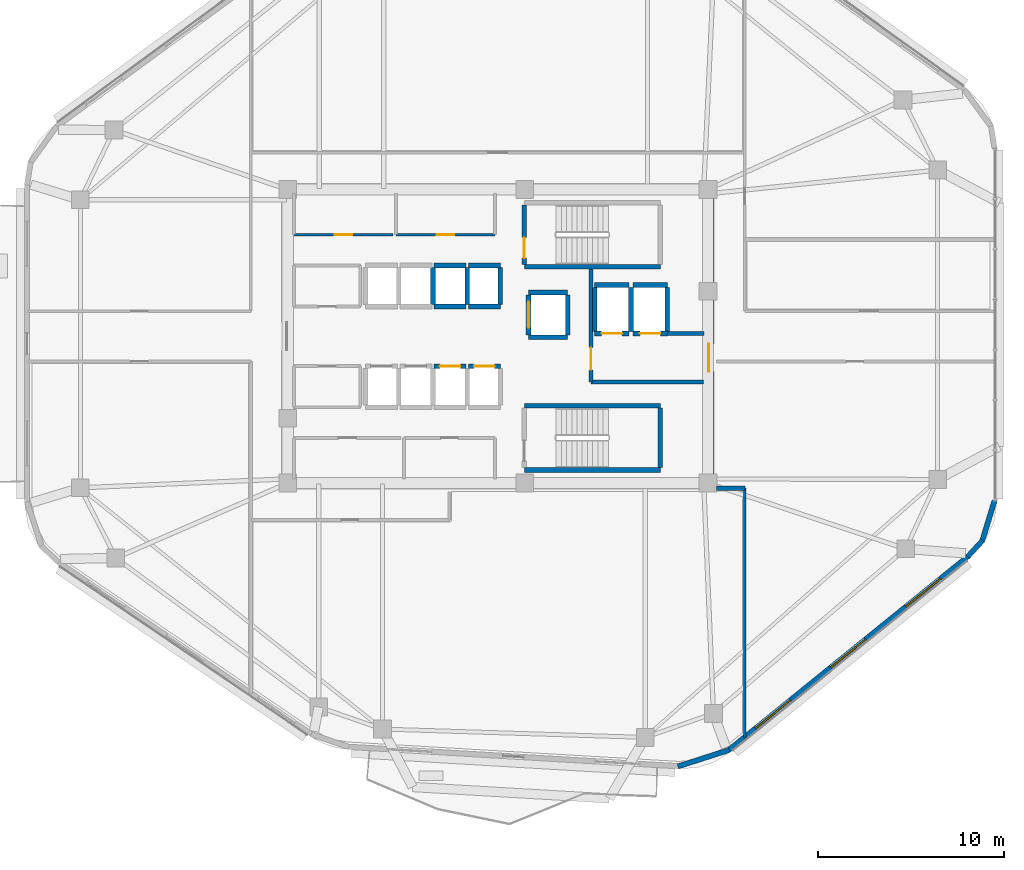
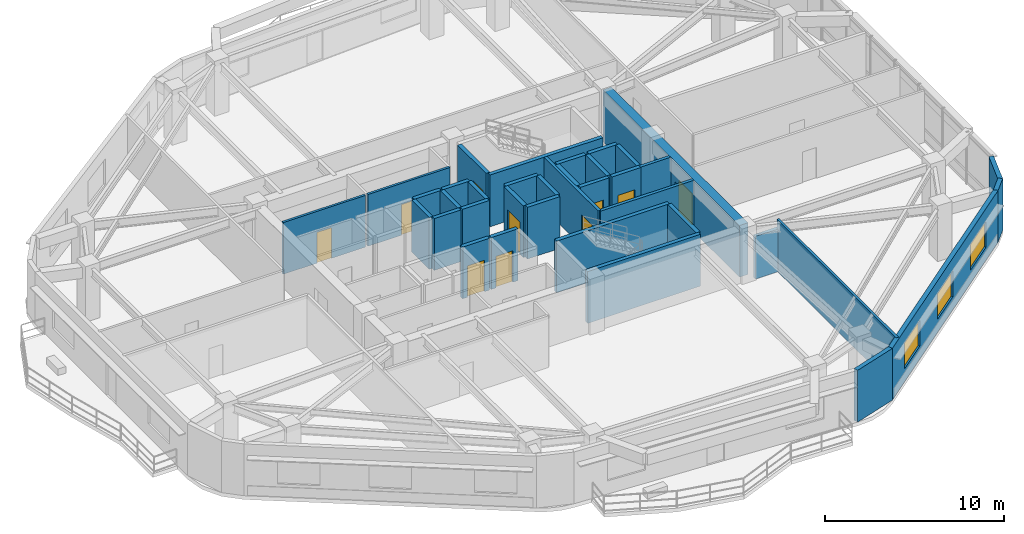
# One storey, part 10 of 14: 37 walls, 10 doors, 3 windows, 13 openings.
"""IFC4 building model written with IfcOpenShell, lengths in metres."""

from ifc_helpers import new_model, si_unit, direction, frame, frame_2d, origin, place, context, subcontext, project, spatial, rectangle, extrude, material, layer, layer_set, type_object, element, fill, save


model = new_model("IFC4")

# Units and contexts
model_context = context("Model", 3, precision=1e-05, world=origin(), true_north=direction((0.0, 1.0)))
body_context = subcontext(model_context, "Body", "Model", "MODEL_VIEW")
ifc_project = project(units=[si_unit("LENGTHUNIT", "METRE"), si_unit("AREAUNIT", "SQUARE_METRE"), si_unit("VOLUMEUNIT", "CUBIC_METRE"), si_unit("PLANEANGLEUNIT", "RADIAN"), si_unit("MASSUNIT", "GRAM", prefix="KILO")], contexts=[model_context])

# Site, building, storey
site_placement = place(None, origin())
site = spatial("IfcSite", under=ifc_project, at=site_placement, CompositionType="ELEMENT")
building_placement = place(site_placement, origin())
building = spatial("IfcBuilding", under=site, at=building_placement, Name="Zulverin Broadcast Headquarters", CompositionType="ELEMENT")
storey_placement = place(building_placement, frame((0.0, 0.0, 201.0)))
storey = spatial("IfcBuildingStorey", under=building, at=storey_placement, Name="L51", CompositionType="ELEMENT", Elevation=201.0)

# Wall
ifc_material_1 = material(Name="Double-stud acoustic drywall", Category="gypsum")
ifc_layer_1 = layer(ifc_material_1, 0.219970703125, Name="Double-stud acoustic drywall", Category="gypsum")
ifc_layer_set_1 = layer_set([ifc_layer_1], Name="Double-stud acoustic drywall")
wall_type_1 = type_object("IfcWallType", Name="WL-ACOU-220", PredefinedType="PARTITIONING", material=ifc_layer_set_1)
wall_1_placement = place(storey_placement, frame((48.739990234375, 17.050048828125, 0.0), z_axis=(0.0, 0.0, 1.0), x_axis=(1.0, 0.0, 0.0)))
element("IfcWall", 1, at=wall_1_placement, inside=storey, type_object=wall_type_1, Name="L51 Room Partition Wall RP-07", PredefinedType="PARTITIONING", context=body_context, shape_type="SweptSolid", body=[
    extrude(rectangle(XDim=1.510009765625, YDim=0.219970703125, at=frame_2d((0.7548828125, 0.0))), origin(), (0.0, 0.0, 1.0), 2.9228515625),
])

# Wall, opening, door
ifc_material_2 = material(Name="Concrete C60/75", Category="concrete")
ifc_layer_2 = layer(ifc_material_2, 0.550048828125, Name="Concrete C60/75", Category="concrete")
ifc_layer_set_2 = layer_set([ifc_layer_2], Name="Concrete C60/75")
wall_type_2 = type_object("IfcWallType", Name="WL-CORE-550", PredefinedType="SHEAR", material=ifc_layer_set_2)
wall_2_placement = place(storey_placement, frame((48.324951171875, 17.550048828125, 0.0), z_axis=(0.0, 0.0, 1.0), x_axis=(0.0, 1.0, 0.0)))
wall_2 = element("IfcWall", 2, at=wall_2_placement, inside=storey, type_object=wall_type_2, Name="L51 Core East Shear Wall", PredefinedType="SHEAR", context=body_context, shape_type="SweptSolid", body=[
    extrude(rectangle(XDim=15.300048828125, YDim=0.550048828125, at=frame_2d((7.64990234375, 0.0))), origin(), (0.0, 0.0, 1.0), 3.5400390625),
])
opening_1_placement = place(wall_2_placement, frame((5.75, 0.0, 0.0)))
opening_1 = element("IfcOpeningElement", 3, at=opening_1_placement, cuts=wall_2, Name="Opening D-L51-CE1", PredefinedType="OPENING", context=body_context, shape_type="SweptSolid", body=[
    extrude(rectangle(XDim=1.5, YDim=2.14990234375, at=frame_2d((0.75, 1.074951171875))), frame((0.0, 0.284912109375, 0.0), z_axis=(0.0, -1.0, 0.0), x_axis=(1.0, 0.0, 0.0)), (0.0, 0.0, 1.0), 0.570068359375),
])
ifc_material_3 = material(Name="Fire-rated glazed steel frame", Category="steel")
door_type_1 = type_object("IfcDoorType", Name="DR-COR-1500", OperationType="DOUBLE_DOOR_SINGLE_SWING", PredefinedType="DOOR", material=ifc_material_3)
door_1_placement = place(opening_1_placement, origin())
door_1 = element("IfcDoor", 4, at=door_1_placement, inside=storey, type_object=door_type_1, Name="L51 Firefighting Lobby East Corridor Door", OperationType="DOUBLE_DOOR_SINGLE_SWING", OverallHeight=2.14990234375, OverallWidth=1.5, PredefinedType="DOOR", context=body_context, shape_type="SweptSolid", body=[
    extrude(rectangle(XDim=1.5, YDim=2.14990234375, at=frame_2d((0.75, 1.074951171875))), frame((0.0, 0.02490234375, 0.0), z_axis=(0.0, -1.0, 0.0), x_axis=(1.0, 0.0, 0.0)), (0.0, 0.0, 1.0), 0.050048828125),
])
fill(opening_1, door_1)

# Wall, openings, windows
ifc_material_4 = material(Name="Insulated pale-metal clad concrete spandrel C40/50", Category="concrete")
ifc_layer_3 = layer(ifc_material_4, 0.280029296875, Name="Insulated pale-metal clad concrete spandrel C40/50", Category="concrete")
ifc_layer_set_3 = layer_set([ifc_layer_3], Name="Insulated pale-metal clad concrete spandrel C40/50")
wall_type_3 = type_object("IfcWallType", Name="WL-EXT-280", PredefinedType="STANDARD", material=ifc_layer_set_3)
wall_3_placement = place(storey_placement, frame((49.372314453125, 2.98388671875, 0.0), z_axis=(0.0, 0.0, 1.0), x_axis=(0.777278899851, 0.629156190343, 0.0)))
wall_3 = element("IfcWall", 5, at=wall_3_placement, inside=storey, type_object=wall_type_3, Name="L51 Pale-Metal Clad Spandrel Wall 2", PredefinedType="STANDARD", context=body_context, shape_type="SweptSolid", body=[
    extrude(rectangle(XDim=16.5400390625, YDim=0.280029296875, at=frame_2d((8.27001953125, 0.0))), origin(), (0.0, 0.0, 1.0), 3.5400390625),
])
opening_2_placement = place(wall_3_placement, frame((1.889892578125, 0.0, 0.89990234375)))
opening_2 = element("IfcOpeningElement", 6, at=opening_2_placement, cuts=wall_3, Name="Opening W-L51-E21", PredefinedType="OPENING", context=body_context, shape_type="SweptSolid", body=[
    extrude(rectangle(XDim=2.39990234375, YDim=1.75, at=frame_2d((1.199951171875, 0.875))), frame((0.0, 0.14990234375, 0.0), z_axis=(0.0, -1.0, 0.0), x_axis=(1.0, 0.0, 0.0)), (0.0, 0.0, 1.0), 0.300048828125),
])
opening_3_placement = place(wall_3_placement, frame((7.070068359375, 0.0, 0.89990234375)))
opening_3 = element("IfcOpeningElement", 7, at=opening_3_placement, cuts=wall_3, Name="Opening W-L51-E22", PredefinedType="OPENING", context=body_context, shape_type="SweptSolid", body=[
    extrude(rectangle(XDim=2.39990234375, YDim=1.75, at=frame_2d((1.199951171875, 0.875))), frame((0.0, 0.14990234375, 0.0), z_axis=(0.0, -1.0, 0.0), x_axis=(1.0, 0.0, 0.0)), (0.0, 0.0, 1.0), 0.300048828125),
])
opening_4_placement = place(wall_3_placement, frame((12.25, 0.0, 0.89990234375)))
opening_4 = element("IfcOpeningElement", 8, at=opening_4_placement, cuts=wall_3, Name="Opening W-L51-E23", PredefinedType="OPENING", context=body_context, shape_type="SweptSolid", body=[
    extrude(rectangle(XDim=2.39990234375, YDim=1.75, at=frame_2d((1.199951171875, 0.875))), frame((0.0, 0.14990234375, 0.0), z_axis=(0.0, -1.0, 0.0), x_axis=(1.0, 0.0, 0.0)), (0.0, 0.0, 1.0), 0.300048828125),
])
ifc_material_5 = material(Name="Pale anodized aluminium frame with solar-control low-E double glazing", Category="aluminium")
window_type = type_object("IfcWindowType", Name="WIN-RIB-2400", PartitioningType="SINGLE_PANEL", PredefinedType="WINDOW", material=ifc_material_5)
window_1_placement = place(opening_2_placement, origin())
window_1 = element("IfcWindow", 9, at=window_1_placement, inside=storey, type_object=window_type, Name="L51 Ribbon Glazing Window 2 1", OverallHeight=1.75, OverallWidth=2.39990234375, PartitioningType="SINGLE_PANEL", PredefinedType="WINDOW", context=body_context, shape_type="SweptSolid", body=[
    extrude(rectangle(XDim=2.39990234375, YDim=1.75, at=frame_2d((1.199951171875, 0.875))), frame((0.0, 0.030029296875, 0.0), z_axis=(0.0, -1.0, 0.0), x_axis=(1.0, 0.0, 0.0)), (0.0, 0.0, 1.0), 0.06005859375),
])
fill(opening_2, window_1)
window_2_placement = place(opening_3_placement, origin())
window_2 = element("IfcWindow", 10, at=window_2_placement, inside=storey, type_object=window_type, Name="L51 Ribbon Glazing Window 2 2", OverallHeight=1.75, OverallWidth=2.39990234375, PartitioningType="SINGLE_PANEL", PredefinedType="WINDOW", context=body_context, shape_type="SweptSolid", body=[
    extrude(rectangle(XDim=2.39990234375, YDim=1.75, at=frame_2d((1.199951171875, 0.875))), frame((0.0, 0.030029296875, 0.0), z_axis=(0.0, -1.0, 0.0), x_axis=(1.0, 0.0, 0.0)), (0.0, 0.0, 1.0), 0.06005859375),
])
fill(opening_3, window_2)
window_3_placement = place(opening_4_placement, origin())
window_3 = element("IfcWindow", 11, at=window_3_placement, inside=storey, type_object=window_type, Name="L51 Ribbon Glazing Window 2 3", OverallHeight=1.75, OverallWidth=2.39990234375, PartitioningType="SINGLE_PANEL", PredefinedType="WINDOW", context=body_context, shape_type="SweptSolid", body=[
    extrude(rectangle(XDim=2.39990234375, YDim=1.75, at=frame_2d((1.199951171875, 0.875))), frame((0.0, 0.030029296875, 0.0), z_axis=(0.0, -1.0, 0.0), x_axis=(1.0, 0.0, 0.0)), (0.0, 0.0, 1.0), 0.06005859375),
])
fill(opening_4, window_3)

# Walls
wall_4_placement = place(storey_placement, frame((46.666259765625, 2.124267578125, 0.0), z_axis=(0.0, 0.0, 1.0), x_axis=(0.952065470694, 0.305894327363, 0.0)))
element("IfcWall", 12, at=wall_4_placement, inside=storey, type_object=wall_type_3, Name="L51 Wind-Shaped Corner Spandrel Wall 1-1", PredefinedType="STANDARD", context=body_context, shape_type="SweptSolid", body=[
    extrude(rectangle(XDim=2.889892578125, YDim=0.280029296875, at=frame_2d((1.44482421875, 0.0))), origin(), (0.0, 0.0, 1.0), 3.5400390625),
])
wall_5_placement = place(storey_placement, frame((62.21337890625, 13.3759765625, 0.0), z_axis=(0.0, 0.0, 1.0), x_axis=(0.675790054291, 0.737094161232, 0.0)))
element("IfcWall", 13, at=wall_5_placement, inside=storey, type_object=wall_type_3, Name="L51 Wind-Shaped Corner Spandrel Wall 2-1", PredefinedType="STANDARD", context=body_context, shape_type="SweptSolid", body=[
    extrude(rectangle(XDim=1.182861328125, YDim=0.280029296875, at=frame_2d((0.59130859375, 0.0))), origin(), (0.0, 0.0, 1.0), 3.5400390625),
])
wall_6_placement = place(storey_placement, frame((62.98193359375, 14.194091796875, 0.0), z_axis=(0.0, 0.0, 1.0), x_axis=(0.292493949144, 0.956267373549, 0.0)))
element("IfcWall", 14, at=wall_6_placement, inside=storey, type_object=wall_type_3, Name="L51 Wind-Shaped Corner Spandrel Wall 2-2", PredefinedType="STANDARD", context=body_context, shape_type="SweptSolid", body=[
    extrude(rectangle(XDim=2.2744140625, YDim=0.280029296875, at=frame_2d((1.13720703125, 0.0))), origin(), (0.0, 0.0, 1.0), 3.5400390625),
])

# Wall, opening, door
ifc_material_6 = material(Name="Concrete C40/50", Category="concrete")
ifc_layer_4 = layer(ifc_material_6, 0.199951171875, Name="Concrete C40/50", Category="concrete")
ifc_layer_set_4 = layer_set([ifc_layer_4], Name="Concrete C40/50")
wall_type_4 = type_object("IfcWallType", Name="WL-FFL-200", PredefinedType="SOLIDWALL", material=ifc_layer_set_4)
wall_7_placement = place(storey_placement, frame((42.0, 22.75, 0.0), z_axis=(0.0, 0.0, 1.0), x_axis=(0.0, 1.0, 0.0)))
wall_7 = element("IfcWall", 15, at=wall_7_placement, inside=storey, type_object=wall_type_4, Name="L51 Firefighting Lift Lobby West Wall", PredefinedType="SOLIDWALL", context=body_context, shape_type="SweptSolid", body=[
    extrude(rectangle(XDim=6.050048828125, YDim=0.199951171875, at=frame_2d((3.02490234375, 0.0))), origin(), (0.0, 0.0, 1.0), 3.5400390625),
])
opening_5_placement = place(wall_7_placement, frame((0.64990234375, 0.0, 0.0)))
opening_5 = element("IfcOpeningElement", 16, at=opening_5_placement, cuts=wall_7, Name="Opening D-L51-FFLW", PredefinedType="OPENING", context=body_context, shape_type="SweptSolid", body=[
    extrude(rectangle(XDim=1.199951171875, YDim=2.14990234375, at=frame_2d((0.60009765625, 1.074951171875))), frame((0.0, 0.10986328125, 0.0), z_axis=(0.0, -1.0, 0.0), x_axis=(1.0, 0.0, 0.0)), (0.0, 0.0, 1.0), 0.219970703125),
])
ifc_material_7 = material(Name="Fire-rated steel leaf and frame", Category="steel")
door_type_2 = type_object("IfcDoorType", Name="DR-FFL-1200", OperationType="SINGLE_SWING_RIGHT", PredefinedType="DOOR", material=ifc_material_7)
door_2_placement = place(opening_5_placement, origin())
door_2 = element("IfcDoor", 17, at=door_2_placement, inside=storey, type_object=door_type_2, Name="L51 Firefighting Lift Lobby Door", OperationType="SINGLE_SWING_RIGHT", OverallHeight=2.14990234375, OverallWidth=1.199951171875, PredefinedType="DOOR", context=body_context, shape_type="SweptSolid", body=[
    extrude(rectangle(XDim=1.199951171875, YDim=2.14990234375, at=frame_2d((0.60009765625, 1.074951171875))), frame((0.0, 0.02490234375, 0.0), z_axis=(0.0, -1.0, 0.0), x_axis=(1.0, 0.0, 0.0)), (0.0, 0.0, 1.0), 0.050048828125),
])
fill(opening_5, door_2)

# Walls
wall_8_placement = place(storey_placement, frame((42.0, 22.75, 0.0), z_axis=(0.0, 0.0, 1.0), x_axis=(1.0, 0.0, 0.0)))
element("IfcWall", 18, at=wall_8_placement, inside=storey, type_object=wall_type_4, Name="L51 Firefighting Lift Lobby South Wall", PredefinedType="SOLIDWALL", context=body_context, shape_type="SweptSolid", body=[
    extrude(rectangle(XDim=6.050048828125, YDim=0.199951171875, at=frame_2d((3.02490234375, 0.0))), origin(), (0.0, 0.0, 1.0), 3.5400390625),
])
wall_9_placement = place(storey_placement, frame((46.10009765625, 25.35009765625, 0.0), z_axis=(0.0, 0.0, 1.0), x_axis=(1.0, 0.0, 0.0)))
element("IfcWall", 19, at=wall_9_placement, inside=storey, type_object=wall_type_4, Name="L51 Firefighting Lift Lobby North Wall", PredefinedType="SOLIDWALL", context=body_context, shape_type="SweptSolid", body=[
    extrude(rectangle(XDim=1.949951171875, YDim=0.199951171875, at=frame_2d((0.97509765625, 0.0))), origin(), (0.0, 0.0, 1.0), 3.5400390625),
])

# Wall, opening, door
ifc_material_8 = material(Name="Fire-rated gypsum stud partition", Category="gypsum")
ifc_layer_5 = layer(ifc_material_8, 0.14990234375, Name="Fire-rated gypsum stud partition", Category="gypsum")
ifc_layer_set_5 = layer_set([ifc_layer_5], Name="Fire-rated gypsum stud partition")
wall_type_5 = type_object("IfcWallType", Name="WL-PART-150", PredefinedType="PARTITIONING", material=ifc_layer_set_5)
wall_10_placement = place(storey_placement, frame((26.070068359375, 30.64990234375, 0.0), z_axis=(0.0, 0.0, 1.0), x_axis=(1.0, 0.0, 0.0)))
wall_10 = element("IfcWall", 20, at=wall_10_placement, inside=storey, type_object=wall_type_5, Name="L51 Core Male WC Front Wall", PredefinedType="PARTITIONING", context=body_context, shape_type="SweptSolid", body=[
    extrude(rectangle(XDim=5.309814453125, YDim=0.14990234375, at=frame_2d((2.65478515625, 0.0))), origin(), (0.0, 0.0, 1.0), 3.5400390625),
])
opening_6_placement = place(wall_10_placement, frame((2.179931640625, 0.0, 0.0)))
opening_6 = element("IfcOpeningElement", 21, at=opening_6_placement, cuts=wall_10, Name="Opening D-L51-NC1", PredefinedType="OPENING", context=body_context, shape_type="SweptSolid", body=[
    extrude(rectangle(XDim=0.949951171875, YDim=2.10009765625, at=frame_2d((0.47509765625, 1.050048828125))), frame((0.0, 0.0849609375, 0.0), z_axis=(0.0, -1.0, 0.0), x_axis=(1.0, 0.0, 0.0)), (0.0, 0.0, 1.0), 0.169921875),
])
ifc_material_9 = material(Name="Fire-rated moisture-resistant laminate leaf", Category="wood")
door_type_3 = type_object("IfcDoorType", Name="DR-WC-950", OperationType="SINGLE_SWING_LEFT", PredefinedType="DOOR", material=ifc_material_9)
door_3_placement = place(opening_6_placement, origin())
door_3 = element("IfcDoor", 22, at=door_3_placement, inside=storey, type_object=door_type_3, Name="L51 Male WC Door", OperationType="SINGLE_SWING_LEFT", OverallHeight=2.10009765625, OverallWidth=0.949951171875, PredefinedType="DOOR", context=body_context, shape_type="SweptSolid", body=[
    extrude(rectangle(XDim=0.949951171875, YDim=2.10009765625, at=frame_2d((0.47509765625, 1.050048828125))), frame((0.0, 0.02490234375, 0.0), z_axis=(0.0, -1.0, 0.0), x_axis=(1.0, 0.0, 0.0)), (0.0, 0.0, 1.0), 0.050048828125),
])
fill(opening_6, door_3)

wall_11_placement = place(storey_placement, frame((31.5400390625, 30.64990234375, 0.0), z_axis=(0.0, 0.0, 1.0), x_axis=(1.0, 0.0, 0.0)))
wall_11 = element("IfcWall", 23, at=wall_11_placement, inside=storey, type_object=wall_type_5, Name="L51 Core Accessible WC Front Wall", PredefinedType="PARTITIONING", context=body_context, shape_type="SweptSolid", body=[
    extrude(rectangle(XDim=5.31005859375, YDim=0.14990234375, at=frame_2d((2.655029296875, 0.0))), origin(), (0.0, 0.0, 1.0), 3.5400390625),
])
opening_7_placement = place(wall_11_placement, frame((2.179931640625, 0.0, 0.0)))
opening_7 = element("IfcOpeningElement", 24, at=opening_7_placement, cuts=wall_11, Name="Opening D-L51-NC2", PredefinedType="OPENING", context=body_context, shape_type="SweptSolid", body=[
    extrude(rectangle(XDim=0.949951171875, YDim=2.10009765625, at=frame_2d((0.47509765625, 1.050048828125))), frame((0.0, 0.0849609375, 0.0), z_axis=(0.0, -1.0, 0.0), x_axis=(1.0, 0.0, 0.0)), (0.0, 0.0, 1.0), 0.169921875),
])
door_4_placement = place(opening_7_placement, origin())
door_4 = element("IfcDoor", 25, at=door_4_placement, inside=storey, type_object=door_type_3, Name="L51 Accessible WC Door", OperationType="SINGLE_SWING_RIGHT", OverallHeight=2.10009765625, OverallWidth=0.949951171875, PredefinedType="DOOR", context=body_context, shape_type="SweptSolid", body=[
    extrude(rectangle(XDim=0.949951171875, YDim=2.10009765625, at=frame_2d((0.47509765625, 1.050048828125))), frame((0.0, 0.02490234375, 0.0), z_axis=(0.0, -1.0, 0.0), x_axis=(1.0, 0.0, 0.0)), (0.0, 0.0, 1.0), 0.050048828125),
])
fill(opening_7, door_4)

# Walls
wall_12_placement = place(storey_placement, frame((50.25, 3.654052734375, 0.0), z_axis=(0.0, 0.0, 1.0), x_axis=(0.0, 1.0, 0.0)))
element("IfcWall", 26, at=wall_12_placement, inside=storey, type_object=wall_type_5, Name="L51 Room Partition Wall RP-01", PredefinedType="PARTITIONING", context=body_context, shape_type="SweptSolid", body=[
    extrude(rectangle(XDim=13.39599609375, YDim=0.14990234375, at=frame_2d((6.697998046875, 0.0))), origin(), (0.0, 0.0, 1.0), 3.5400390625),
])
ifc_material_10 = material(Name="Concrete C50/60", Category="concrete")
ifc_layer_6 = layer(ifc_material_10, 0.25, Name="Concrete C50/60", Category="concrete")
ifc_layer_set_6 = layer_set([ifc_layer_6], Name="Concrete C50/60")
wall_type_6 = type_object("IfcWallType", Name="WL-SHAFT-250", PredefinedType="SHEAR", material=ifc_layer_set_6)
wall_13_placement = place(storey_placement, frame((38.425048828125, 28.925048828125, 0.0), z_axis=(0.0, 0.0, 1.0), x_axis=(1.0, 0.0, 0.0)))
element("IfcWall", 27, at=wall_13_placement, inside=storey, type_object=wall_type_6, Name="L51 ST-1 Enclosure Wall S", PredefinedType="SHEAR", context=body_context, shape_type="SweptSolid", body=[
    extrude(rectangle(XDim=7.300048828125, YDim=0.25, at=frame_2d((3.64990234375, 0.0))), origin(), (0.0, 0.0, 1.0), 3.5400390625),
])

# Wall, opening, door
wall_14_placement = place(storey_placement, frame((38.425048828125, 29.050048828125, 0.0), z_axis=(0.0, 0.0, 1.0), x_axis=(0.0, 1.0, 0.0)))
wall_14 = element("IfcWall", 28, at=wall_14_placement, inside=storey, type_object=wall_type_6, Name="L51 ST-1 Enclosure Wall W", PredefinedType="SHEAR", context=body_context, shape_type="SweptSolid", body=[
    extrude(rectangle(XDim=3.199951171875, YDim=0.25, at=frame_2d((1.60009765625, 0.0))), origin(), (0.0, 0.0, 1.0), 3.5400390625),
])
opening_8_placement = place(wall_14_placement, frame((0.35009765625, 0.0, 0.0)))
opening_8 = element("IfcOpeningElement", 29, at=opening_8_placement, cuts=wall_14, Name="Opening D-L51-ST-1", PredefinedType="OPENING", context=body_context, shape_type="SweptSolid", body=[
    extrude(rectangle(XDim=1.10009765625, YDim=2.14990234375, at=frame_2d((0.550048828125, 1.074951171875))), frame((0.0, 0.135009765625, 0.0), z_axis=(0.0, -1.0, 0.0), x_axis=(1.0, 0.0, 0.0)), (0.0, 0.0, 1.0), 0.27001953125),
])
door_type_4 = type_object("IfcDoorType", Name="DR-STAIR-1100", OperationType="SINGLE_SWING_LEFT", PredefinedType="DOOR", material=ifc_material_7)
door_5_placement = place(opening_8_placement, origin())
door_5 = element("IfcDoor", 30, at=door_5_placement, inside=storey, type_object=door_type_4, Name="L51 Exit Stair ST-1 Fire Door", OperationType="SINGLE_SWING_LEFT", OverallHeight=2.14990234375, OverallWidth=1.10009765625, PredefinedType="DOOR", context=body_context, shape_type="SweptSolid", body=[
    extrude(rectangle(XDim=1.10009765625, YDim=2.14990234375, at=frame_2d((0.550048828125, 1.074951171875))), frame((0.0, 0.02490234375, 0.0), z_axis=(0.0, -1.0, 0.0), x_axis=(1.0, 0.0, 0.0)), (0.0, 0.0, 1.0), 0.050048828125),
])
fill(opening_8, door_5)

# Walls
for number, where, z_axis, x_axis, name in (
    (31, (38.425048828125, 18.02490234375, 0.0), (0.0, 0.0, 1.0), (1.0, 0.0, 0.0), "L51 ST-2 Enclosure Wall S"),
    (32, (38.425048828125, 21.47509765625, 0.0), (0.0, 0.0, 1.0), (1.0, 0.0, 0.0), "L51 ST-2 Enclosure Wall N"),
):
    element("IfcWall", number, at=place(storey_placement, frame(where, z_axis=z_axis, x_axis=x_axis)), inside=storey, type_object=wall_type_6, Name=name, PredefinedType="SHEAR", context=body_context, shape_type="SweptSolid", body=[
        extrude(rectangle(XDim=7.300048828125, YDim=0.25, at=frame_2d((3.64990234375, 0.0))), origin(), (0.0, 0.0, 1.0), 3.5400390625),
    ])
wall_15_placement = place(storey_placement, frame((45.72509765625, 18.14990234375, 0.0), z_axis=(0.0, 0.0, 1.0), x_axis=(0.0, 1.0, 0.0)))
element("IfcWall", 33, at=wall_15_placement, inside=storey, type_object=wall_type_6, Name="L51 ST-2 Enclosure Wall E", PredefinedType="SHEAR", context=body_context, shape_type="SweptSolid", body=[
    extrude(rectangle(XDim=3.2001953125, YDim=0.25, at=frame_2d((1.60009765625, 0.0))), origin(), (0.0, 0.0, 1.0), 3.5400390625),
])

# Wall, opening, door
wall_16_placement = place(storey_placement, frame((33.580078125, 23.60009765625, 0.0), z_axis=(0.0, 0.0, 1.0), x_axis=(1.0, 0.0, 0.0)))
wall_16 = element("IfcWall", 34, at=wall_16_placement, inside=storey, type_object=wall_type_6, Name="L51 Lift PL-M3 Shaft Wall N", PredefinedType="SHEAR", context=body_context, shape_type="SweptSolid", body=[
    extrude(rectangle(XDim=1.719970703125, YDim=0.25, at=frame_2d((0.85986328125, 0.0))), origin(), (0.0, 0.0, 1.0), 3.5400390625),
])
opening_9_placement = place(wall_16_placement, frame((0.31005859375, 0.0, 0.0)))
opening_9 = element("IfcOpeningElement", 35, at=opening_9_placement, cuts=wall_16, Name="Opening LD-PL-M3-L51", PredefinedType="OPENING", context=body_context, shape_type="SweptSolid", body=[
    extrude(rectangle(XDim=1.10009765625, YDim=2.14990234375, at=frame_2d((0.550048828125, 1.074951171875))), frame((0.0, 0.135009765625, 0.0), z_axis=(0.0, -1.0, 0.0), x_axis=(1.0, 0.0, 0.0)), (0.0, 0.0, 1.0), 0.27001953125),
])
ifc_material_11 = material(Name="Brushed stainless steel landing", Category="steel")
door_type_5 = type_object("IfcDoorType", Name="LD-PASS-1100", OperationType="DOUBLE_DOOR_SLIDING", PredefinedType="DOOR", material=ifc_material_11)
door_6_placement = place(opening_9_placement, origin())
door_6 = element("IfcDoor", 36, at=door_6_placement, inside=storey, type_object=door_type_5, Name="L51 Lift PL-M3 Sliding Landing Door", OperationType="DOUBLE_DOOR_SLIDING", OverallHeight=2.14990234375, OverallWidth=1.10009765625, PredefinedType="DOOR", context=body_context, shape_type="SweptSolid", body=[
    extrude(rectangle(XDim=1.10009765625, YDim=2.14990234375, at=frame_2d((0.550048828125, 1.074951171875))), frame((0.0, 0.02490234375, 0.0), z_axis=(0.0, -1.0, 0.0), x_axis=(1.0, 0.0, 0.0)), (0.0, 0.0, 1.0), 0.050048828125),
])
fill(opening_9, door_6)

wall_17_placement = place(storey_placement, frame((35.419921875, 23.60009765625, 0.0), z_axis=(0.0, 0.0, 1.0), x_axis=(1.0, 0.0, 0.0)))
wall_17 = element("IfcWall", 37, at=wall_17_placement, inside=storey, type_object=wall_type_6, Name="L51 Lift PL-M4 Shaft Wall N", PredefinedType="SHEAR", context=body_context, shape_type="SweptSolid", body=[
    extrude(rectangle(XDim=1.719970703125, YDim=0.25, at=frame_2d((0.85986328125, 0.0))), origin(), (0.0, 0.0, 1.0), 3.5400390625),
])
opening_10_placement = place(wall_17_placement, frame((0.31005859375, 0.0, 0.0)))
opening_10 = element("IfcOpeningElement", 38, at=opening_10_placement, cuts=wall_17, Name="Opening LD-PL-M4-L51", PredefinedType="OPENING", context=body_context, shape_type="SweptSolid", body=[
    extrude(rectangle(XDim=1.10009765625, YDim=2.14990234375, at=frame_2d((0.550048828125, 1.074951171875))), frame((0.0, 0.135009765625, 0.0), z_axis=(0.0, -1.0, 0.0), x_axis=(1.0, 0.0, 0.0)), (0.0, 0.0, 1.0), 0.27001953125),
])
door_7_placement = place(opening_10_placement, origin())
door_7 = element("IfcDoor", 39, at=door_7_placement, inside=storey, type_object=door_type_5, Name="L51 Lift PL-M4 Sliding Landing Door", OperationType="DOUBLE_DOOR_SLIDING", OverallHeight=2.14990234375, OverallWidth=1.10009765625, PredefinedType="DOOR", context=body_context, shape_type="SweptSolid", body=[
    extrude(rectangle(XDim=1.10009765625, YDim=2.14990234375, at=frame_2d((0.550048828125, 1.074951171875))), frame((0.0, 0.02490234375, 0.0), z_axis=(0.0, -1.0, 0.0), x_axis=(1.0, 0.0, 0.0)), (0.0, 0.0, 1.0), 0.050048828125),
])
fill(opening_10, door_7)

# Walls
wall_18_placement = place(storey_placement, frame((33.52001953125, 26.919921875, 0.0), z_axis=(0.0, 0.0, 1.0), x_axis=(0.0, 1.0, 0.0)))
element("IfcWall", 40, at=wall_18_placement, inside=storey, type_object=wall_type_6, Name="L51 Lift PL-H2 Shaft Wall E", PredefinedType="SHEAR", context=body_context, shape_type="SweptSolid", body=[
    extrude(rectangle(XDim=1.9599609375, YDim=0.25, at=frame_2d((0.97998046875, 0.0))), origin(), (0.0, 0.0, 1.0), 3.5400390625),
])
for number, where, z_axis, x_axis, name in (
    (41, (33.580078125, 26.800048828125, 0.0), (0.0, 0.0, 1.0), (1.0, 0.0, 0.0), "L51 Lift PL-H3 Shaft Wall S"),
    (42, (33.580078125, 29.0, 0.0), (0.0, 0.0, 1.0), (1.0, 0.0, 0.0), "L51 Lift PL-H3 Shaft Wall N"),
):
    element("IfcWall", number, at=place(storey_placement, frame(where, z_axis=z_axis, x_axis=x_axis)), inside=storey, type_object=wall_type_6, Name=name, PredefinedType="SHEAR", context=body_context, shape_type="SweptSolid", body=[
        extrude(rectangle(XDim=1.719970703125, YDim=0.25, at=frame_2d((0.85986328125, 0.0))), origin(), (0.0, 0.0, 1.0), 3.5400390625),
    ])
wall_19_placement = place(storey_placement, frame((35.360107421875, 26.919921875, 0.0), z_axis=(0.0, 0.0, 1.0), x_axis=(0.0, 1.0, 0.0)))
element("IfcWall", 43, at=wall_19_placement, inside=storey, type_object=wall_type_6, Name="L51 Lift PL-H3 Shaft Wall E", PredefinedType="SHEAR", context=body_context, shape_type="SweptSolid", body=[
    extrude(rectangle(XDim=1.9599609375, YDim=0.25, at=frame_2d((0.97998046875, 0.0))), origin(), (0.0, 0.0, 1.0), 3.5400390625),
])
for number, where, z_axis, x_axis, name in (
    (44, (35.419921875, 26.800048828125, 0.0), (0.0, 0.0, 1.0), (1.0, 0.0, 0.0), "L51 Lift PL-H4 Shaft Wall S"),
    (45, (35.419921875, 29.0, 0.0), (0.0, 0.0, 1.0), (1.0, 0.0, 0.0), "L51 Lift PL-H4 Shaft Wall N"),
):
    element("IfcWall", number, at=place(storey_placement, frame(where, z_axis=z_axis, x_axis=x_axis)), inside=storey, type_object=wall_type_6, Name=name, PredefinedType="SHEAR", context=body_context, shape_type="SweptSolid", body=[
        extrude(rectangle(XDim=1.719970703125, YDim=0.25, at=frame_2d((0.85986328125, 0.0))), origin(), (0.0, 0.0, 1.0), 3.5400390625),
    ])
wall_20_placement = place(storey_placement, frame((37.139892578125, 26.919921875, 0.0), z_axis=(0.0, 0.0, 1.0), x_axis=(0.0, 1.0, 0.0)))
element("IfcWall", 46, at=wall_20_placement, inside=storey, type_object=wall_type_6, Name="L51 Lift PL-H4 Shaft Wall E", PredefinedType="SHEAR", context=body_context, shape_type="SweptSolid", body=[
    extrude(rectangle(XDim=1.9599609375, YDim=0.25, at=frame_2d((0.97998046875, 0.0))), origin(), (0.0, 0.0, 1.0), 3.5400390625),
])

# Wall, opening, door
wall_21_placement = place(storey_placement, frame((42.199951171875, 25.35009765625, 0.0), z_axis=(0.0, 0.0, 1.0), x_axis=(1.0, 0.0, 0.0)))
wall_21 = element("IfcWall", 47, at=wall_21_placement, inside=storey, type_object=wall_type_6, Name="L51 Lift FFL-1 Shaft Wall S", PredefinedType="SHEAR", context=body_context, shape_type="SweptSolid", body=[
    extrude(rectangle(XDim=1.85009765625, YDim=0.25, at=frame_2d((0.925048828125, 0.0))), origin(), (0.0, 0.0, 1.0), 3.5400390625),
])
opening_11_placement = place(wall_21_placement, frame((0.375, 0.0, 0.0)))
opening_11 = element("IfcOpeningElement", 48, at=opening_11_placement, cuts=wall_21, Name="Opening LD-FFL-1-L51", PredefinedType="OPENING", context=body_context, shape_type="SweptSolid", body=[
    extrude(rectangle(XDim=1.10009765625, YDim=2.14990234375, at=frame_2d((0.550048828125, 1.074951171875))), frame((0.0, 0.135009765625, 0.0), z_axis=(0.0, -1.0, 0.0), x_axis=(1.0, 0.0, 0.0)), (0.0, 0.0, 1.0), 0.27001953125),
])
ifc_material_12 = material(Name="Fire-rated stainless landing door", Category="steel")
door_type_6 = type_object("IfcDoorType", Name="LD-FFL-1100", OperationType="DOUBLE_DOOR_SLIDING", PredefinedType="DOOR", material=ifc_material_12)
door_8_placement = place(opening_11_placement, origin())
door_8 = element("IfcDoor", 49, at=door_8_placement, inside=storey, type_object=door_type_6, Name="L51 Lift FFL-1 Sliding Landing Door", OperationType="DOUBLE_DOOR_SLIDING", OverallHeight=2.14990234375, OverallWidth=1.10009765625, PredefinedType="DOOR", context=body_context, shape_type="SweptSolid", body=[
    extrude(rectangle(XDim=1.10009765625, YDim=2.14990234375, at=frame_2d((0.550048828125, 1.074951171875))), frame((0.0, 0.02490234375, 0.0), z_axis=(0.0, -1.0, 0.0), x_axis=(1.0, 0.0, 0.0)), (0.0, 0.0, 1.0), 0.050048828125),
])
fill(opening_11, door_8)

# Walls
wall_22_placement = place(storey_placement, frame((42.199951171875, 27.949951171875, 0.0), z_axis=(0.0, 0.0, 1.0), x_axis=(1.0, 0.0, 0.0)))
element("IfcWall", 50, at=wall_22_placement, inside=storey, type_object=wall_type_6, Name="L51 Lift FFL-1 Shaft Wall N", PredefinedType="SHEAR", context=body_context, shape_type="SweptSolid", body=[
    extrude(rectangle(XDim=1.85009765625, YDim=0.25, at=frame_2d((0.925048828125, 0.0))), origin(), (0.0, 0.0, 1.0), 3.5400390625),
])
for number, where, z_axis, x_axis, name in (
    (51, (42.199951171875, 25.469970703125, 0.0), (0.0, 0.0, 1.0), (0.0, 1.0, 0.0), "L51 Lift FFL-1 Shaft Wall W"),
    (52, (44.14990234375, 25.469970703125, 0.0), (0.0, 0.0, 1.0), (0.0, 1.0, 0.0), "L51 Lift FFL-1 Shaft Wall E"),
):
    element("IfcWall", number, at=place(storey_placement, frame(where, z_axis=z_axis, x_axis=x_axis)), inside=storey, type_object=wall_type_6, Name=name, PredefinedType="SHEAR", context=body_context, shape_type="SweptSolid", body=[
        extrude(rectangle(XDim=2.360107421875, YDim=0.25, at=frame_2d((1.18017578125, 0.0))), origin(), (0.0, 0.0, 1.0), 3.5400390625),
    ])

# Wall, opening, door
wall_23_placement = place(storey_placement, frame((44.25, 25.35009765625, 0.0), z_axis=(0.0, 0.0, 1.0), x_axis=(1.0, 0.0, 0.0)))
wall_23 = element("IfcWall", 53, at=wall_23_placement, inside=storey, type_object=wall_type_6, Name="L51 Lift FFL-2 Shaft Wall S", PredefinedType="SHEAR", context=body_context, shape_type="SweptSolid", body=[
    extrude(rectangle(XDim=1.85009765625, YDim=0.25, at=frame_2d((0.925048828125, 0.0))), origin(), (0.0, 0.0, 1.0), 3.5400390625),
])
opening_12_placement = place(wall_23_placement, frame((0.375, 0.0, 0.0)))
opening_12 = element("IfcOpeningElement", 54, at=opening_12_placement, cuts=wall_23, Name="Opening LD-FFL-2-L51", PredefinedType="OPENING", context=body_context, shape_type="SweptSolid", body=[
    extrude(rectangle(XDim=1.10009765625, YDim=2.14990234375, at=frame_2d((0.550048828125, 1.074951171875))), frame((0.0, 0.135009765625, 0.0), z_axis=(0.0, -1.0, 0.0), x_axis=(1.0, 0.0, 0.0)), (0.0, 0.0, 1.0), 0.27001953125),
])
door_9_placement = place(opening_12_placement, origin())
door_9 = element("IfcDoor", 55, at=door_9_placement, inside=storey, type_object=door_type_6, Name="L51 Lift FFL-2 Sliding Landing Door", OperationType="DOUBLE_DOOR_SLIDING", OverallHeight=2.14990234375, OverallWidth=1.10009765625, PredefinedType="DOOR", context=body_context, shape_type="SweptSolid", body=[
    extrude(rectangle(XDim=1.10009765625, YDim=2.14990234375, at=frame_2d((0.550048828125, 1.074951171875))), frame((0.0, 0.02490234375, 0.0), z_axis=(0.0, -1.0, 0.0), x_axis=(1.0, 0.0, 0.0)), (0.0, 0.0, 1.0), 0.050048828125),
])
fill(opening_12, door_9)

# Walls
wall_24_placement = place(storey_placement, frame((44.25, 27.949951171875, 0.0), z_axis=(0.0, 0.0, 1.0), x_axis=(1.0, 0.0, 0.0)))
element("IfcWall", 56, at=wall_24_placement, inside=storey, type_object=wall_type_6, Name="L51 Lift FFL-2 Shaft Wall N", PredefinedType="SHEAR", context=body_context, shape_type="SweptSolid", body=[
    extrude(rectangle(XDim=1.85009765625, YDim=0.25, at=frame_2d((0.925048828125, 0.0))), origin(), (0.0, 0.0, 1.0), 3.5400390625),
])
wall_25_placement = place(storey_placement, frame((46.10009765625, 25.469970703125, 0.0), z_axis=(0.0, 0.0, 1.0), x_axis=(0.0, 1.0, 0.0)))
element("IfcWall", 57, at=wall_25_placement, inside=storey, type_object=wall_type_6, Name="L51 Lift FFL-2 Shaft Wall E", PredefinedType="SHEAR", context=body_context, shape_type="SweptSolid", body=[
    extrude(rectangle(XDim=2.360107421875, YDim=0.25, at=frame_2d((1.18017578125, 0.0))), origin(), (0.0, 0.0, 1.0), 3.5400390625),
])
for number, where, z_axis, x_axis, name in (
    (58, (38.64990234375, 25.14990234375, 0.0), (0.0, 0.0, 1.0), (1.0, 0.0, 0.0), "L51 Lift SVL-1 Shaft Wall S"),
    (59, (38.64990234375, 27.550048828125, 0.0), (0.0, 0.0, 1.0), (1.0, 0.0, 0.0), "L51 Lift SVL-1 Shaft Wall N"),
):
    element("IfcWall", number, at=place(storey_placement, frame(where, z_axis=z_axis, x_axis=x_axis)), inside=storey, type_object=wall_type_6, Name=name, PredefinedType="SHEAR", context=body_context, shape_type="SweptSolid", body=[
        extrude(rectangle(XDim=2.10009765625, YDim=0.25, at=frame_2d((1.050048828125, 0.0))), origin(), (0.0, 0.0, 1.0), 3.5400390625),
    ])

# Wall, opening, door
wall_26_placement = place(storey_placement, frame((38.64990234375, 25.27001953125, 0.0), z_axis=(0.0, 0.0, 1.0), x_axis=(0.0, 1.0, 0.0)))
wall_26 = element("IfcWall", 60, at=wall_26_placement, inside=storey, type_object=wall_type_6, Name="L51 Lift SVL-1 Shaft Wall W", PredefinedType="SHEAR", context=body_context, shape_type="SweptSolid", body=[
    extrude(rectangle(XDim=2.159912109375, YDim=0.25, at=frame_2d((1.080078125, 0.0))), origin(), (0.0, 0.0, 1.0), 3.5400390625),
])
opening_13_placement = place(wall_26_placement, frame((0.3798828125, 0.0, 0.0)))
opening_13 = element("IfcOpeningElement", 61, at=opening_13_placement, cuts=wall_26, Name="Opening LD-SVL-1-L51", PredefinedType="OPENING", context=body_context, shape_type="SweptSolid", body=[
    extrude(rectangle(XDim=1.39990234375, YDim=2.199951171875, at=frame_2d((0.699951171875, 1.10009765625))), frame((0.0, 0.135009765625, 0.0), z_axis=(0.0, -1.0, 0.0), x_axis=(1.0, 0.0, 0.0)), (0.0, 0.0, 1.0), 0.27001953125),
])
ifc_material_13 = material(Name="Heavy-duty stainless landing door", Category="steel")
door_type_7 = type_object("IfcDoorType", Name="LD-GOODS-1400", OperationType="DOUBLE_DOOR_SLIDING", PredefinedType="DOOR", material=ifc_material_13)
door_10_placement = place(opening_13_placement, origin())
door_10 = element("IfcDoor", 62, at=door_10_placement, inside=storey, type_object=door_type_7, Name="L51 Lift SVL-1 Sliding Landing Door", OperationType="DOUBLE_DOOR_SLIDING", OverallHeight=2.199951171875, OverallWidth=1.39990234375, PredefinedType="DOOR", context=body_context, shape_type="SweptSolid", body=[
    extrude(rectangle(XDim=1.39990234375, YDim=2.199951171875, at=frame_2d((0.699951171875, 1.10009765625))), frame((0.0, 0.02490234375, 0.0), z_axis=(0.0, -1.0, 0.0), x_axis=(1.0, 0.0, 0.0)), (0.0, 0.0, 1.0), 0.050048828125),
])
fill(opening_13, door_10)

# Wall
wall_27_placement = place(storey_placement, frame((40.75, 25.27001953125, 0.0), z_axis=(0.0, 0.0, 1.0), x_axis=(0.0, 1.0, 0.0)))
element("IfcWall", 63, at=wall_27_placement, inside=storey, type_object=wall_type_6, Name="L51 Lift SVL-1 Shaft Wall E", PredefinedType="SHEAR", context=body_context, shape_type="SweptSolid", body=[
    extrude(rectangle(XDim=2.159912109375, YDim=0.25, at=frame_2d((1.080078125, 0.0))), origin(), (0.0, 0.0, 1.0), 3.5400390625),
])

save(model, "model.ifc")
